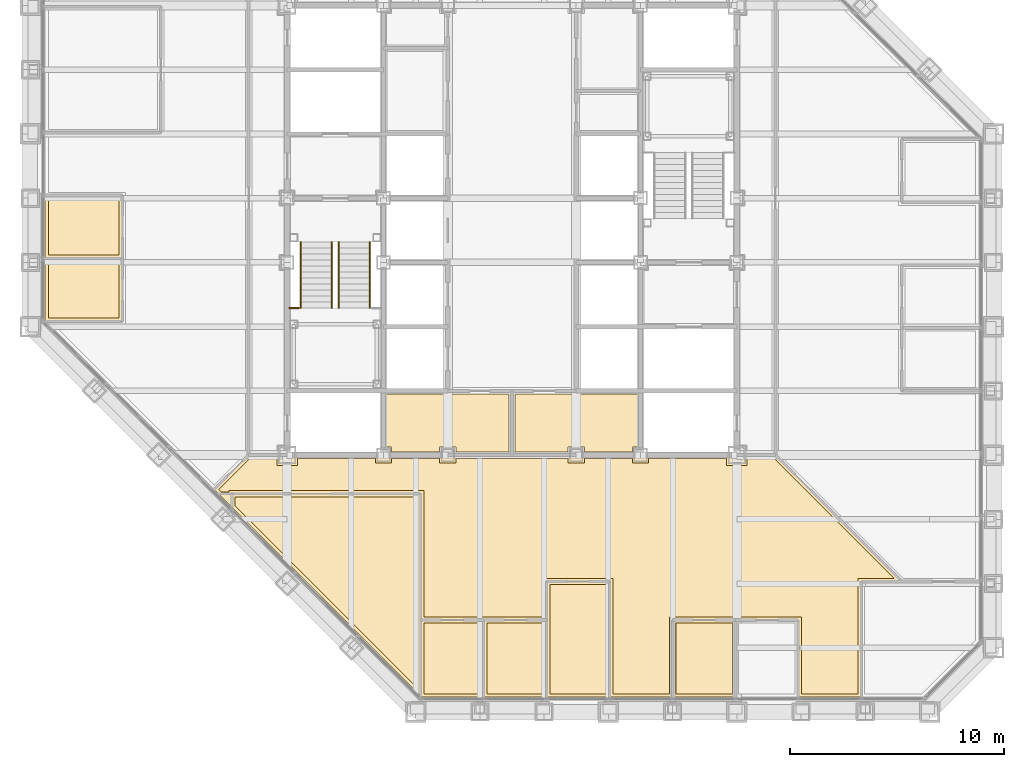
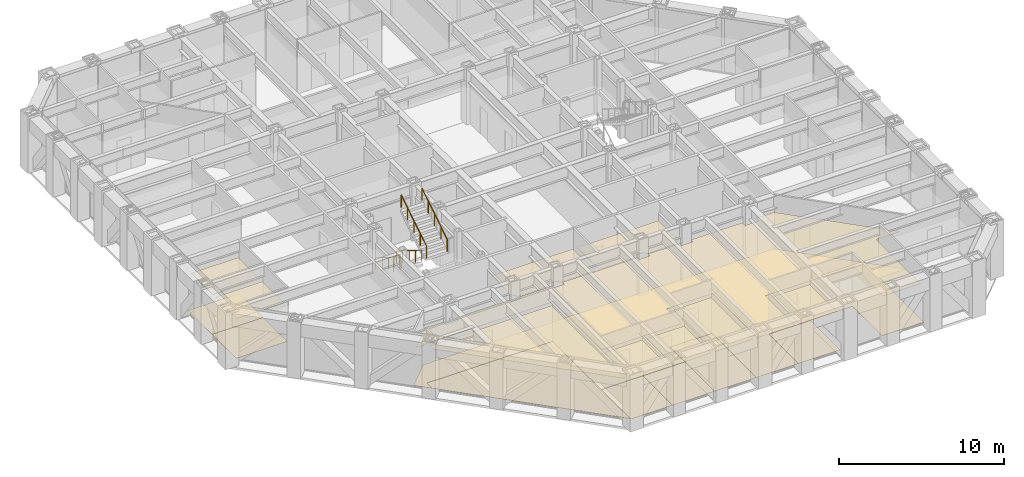
# One storey, part 14 of 17: 18 coverings, 5 railings.
"""IFC4 building model written with IfcOpenShell, lengths in metres."""

from ifc_helpers import new_model, si_unit, direction, frame, origin, origin_2d, place, context, subcontext, project, spatial, polyline, circle, outline, extrude, material, layer, layer_set, type_object, element, save


model = new_model("IFC4")

# Units and contexts
model_context = context("Model", 3, precision=1e-05, world=origin(), true_north=direction((0.0, 1.0)))
body_context = subcontext(model_context, "Body", "Model", "MODEL_VIEW")
ifc_project = project(units=[si_unit("LENGTHUNIT", "METRE"), si_unit("AREAUNIT", "SQUARE_METRE"), si_unit("VOLUMEUNIT", "CUBIC_METRE"), si_unit("PLANEANGLEUNIT", "RADIAN"), si_unit("MASSUNIT", "GRAM", prefix="KILO")], contexts=[model_context])

# Site, building, storey
site_placement = place(None, origin())
site = spatial("IfcSite", under=ifc_project, at=site_placement, CompositionType="ELEMENT")
building_placement = place(site_placement, origin())
building = spatial("IfcBuilding", under=site, at=building_placement, Name="Chuquiago Exchange Tower", CompositionType="ELEMENT")
storey_placement = place(building_placement, frame((0.0, 0.0, 169.800048828125)))
storey = spatial("IfcBuildingStorey", under=building, at=storey_placement, Name="L37", CompositionType="ELEMENT", Elevation=169.800048828125)

# Coverings
ifc_material_1 = material(Name="Mineral fibre tile, 600 x 600, on pale metal grid", Category="mineral fibre")
ifc_layer_1 = layer(ifc_material_1, 0.02001953125)
ifc_layer_set_1 = layer_set([ifc_layer_1], Name="CL1 suspended tile ceiling 20")
covering_type_1 = type_object("IfcCoveringType", Name="CL1 suspended tile ceiling 20", PredefinedType="CEILING", material=ifc_layer_set_1)
covering_1_placement = place(storey_placement, frame((0.0, 0.0, 2.800048828125)))
element("IfcCovering", 1, at=covering_1_placement, inside=storey, type_object=covering_type_1, Name="Ceiling Broker lounge", PredefinedType="CEILING", context=body_context, shape_type="SweptSolid", body=[
    extrude(outline(polyline([(9.57421875, 10.050048828125), (18.098388671875, 10.050048828125), (18.098388671875, 1.103515625), (9.57421875, 9.627685546875), (9.57421875, 10.050048828125)])), origin(), (0.0, 0.0, 1.0), 0.02001953125),
])
covering_2_placement = place(storey_placement, frame((0.0, 0.0, 2.800048828125)))
element("IfcCovering", 2, at=covering_2_placement, inside=storey, type_object=covering_type_1, Name="Ceiling Focus room", PredefinedType="CEILING", context=body_context, shape_type="SweptSolid", body=[
    extrude(outline(polyline([(18.3984375, 4.14990234375), (21.036376953125, 4.14990234375), (21.036376953125, 0.85009765625), (18.3984375, 0.85009765625), (18.3984375, 4.14990234375)])), origin(), (0.0, 0.0, 1.0), 0.02001953125),
])
covering_3_placement = place(storey_placement, frame((0.0, 0.0, 2.800048828125)))
element("IfcCovering", 3, at=covering_3_placement, inside=storey, type_object=covering_type_1, Name="Ceiling Focus room", PredefinedType="CEILING", context=body_context, shape_type="SweptSolid", body=[
    extrude(outline(polyline([(21.33642578125, 4.14990234375), (23.974365234375, 4.14990234375), (23.974365234375, 0.85009765625), (21.33642578125, 0.85009765625), (21.33642578125, 4.14990234375)])), origin(), (0.0, 0.0, 1.0), 0.02001953125),
])
covering_4_placement = place(storey_placement, frame((0.0, 0.0, 2.800048828125)))
element("IfcCovering", 4, at=covering_4_placement, inside=storey, type_object=covering_type_1, Name="Ceiling Meeting room", PredefinedType="CEILING", context=body_context, shape_type="SweptSolid", body=[
    extrude(outline(polyline([(24.2744140625, 5.949951171875), (26.912109375, 5.949951171875), (26.912109375, 0.85009765625), (24.2744140625, 0.85009765625), (24.2744140625, 5.949951171875)])), origin(), (0.0, 0.0, 1.0), 0.02001953125),
])
covering_5_placement = place(storey_placement, frame((0.0, 0.0, 2.800048828125)))
element("IfcCovering", 5, at=covering_5_placement, inside=storey, type_object=covering_type_1, Name="Ceiling Focus room", PredefinedType="CEILING", context=body_context, shape_type="SweptSolid", body=[
    extrude(outline(polyline([(30.14990234375, 4.14990234375), (32.787841796875, 4.14990234375), (32.787841796875, 0.85009765625), (30.14990234375, 0.85009765625), (30.14990234375, 4.14990234375)])), origin(), (0.0, 0.0, 1.0), 0.02001953125),
])
covering_6_placement = place(storey_placement, frame((0.0, 0.0, 2.800048828125)))
element("IfcCovering", 6, at=covering_6_placement, inside=storey, type_object=covering_type_1, Name="Ceiling Focus room", PredefinedType="CEILING", context=body_context, shape_type="SweptSolid", body=[
    extrude(outline(polyline([(0.85009765625, 21.036376953125), (4.14990234375, 21.036376953125), (4.14990234375, 18.3984375), (0.85009765625, 18.3984375), (0.85009765625, 21.036376953125)])), origin(), (0.0, 0.0, 1.0), 0.02001953125),
])
covering_7_placement = place(storey_placement, frame((0.0, 0.0, 2.800048828125)))
element("IfcCovering", 7, at=covering_7_placement, inside=storey, type_object=covering_type_1, Name="Ceiling Focus room", PredefinedType="CEILING", context=body_context, shape_type="SweptSolid", body=[
    extrude(outline(polyline([(4.14990234375, 23.974365234375), (4.14990234375, 21.33642578125), (0.85009765625, 21.33642578125), (0.85009765625, 23.974365234375), (4.14990234375, 23.974365234375)])), origin(), (0.0, 0.0, 1.0), 0.02001953125),
])
covering_8_placement = place(storey_placement, frame((0.0, 0.0, 2.800048828125)))
element("IfcCovering", 8, at=covering_8_placement, inside=storey, type_object=covering_type_1, Name="Ceiling Open office south", PredefinedType="CEILING", context=body_context, shape_type="SweptSolid", body=[
    extrude(outline(polyline([(38.66357421875, 0.85009765625), (36.025634765625, 0.85009765625), (36.025634765625, 4.449951171875), (29.85009765625, 4.449951171875), (29.85009765625, 0.85009765625), (27.212158203125, 0.85009765625), (27.212158203125, 6.25), (23.974365234375, 6.25), (23.974365234375, 4.449951171875), (18.3984375, 4.449951171875), (18.3984375, 10.35009765625), (9.2744140625, 10.35009765625), (9.2744140625, 10.27001953125), (8.931884765625, 10.27001953125), (8.807373046875, 10.39453125), (10.2626953125, 11.85009765625), (11.52490234375, 11.85009765625), (11.52490234375, 11.52490234375), (12.47509765625, 11.52490234375), (12.47509765625, 11.85009765625), (16.125, 11.85009765625), (16.125, 11.625), (16.875, 11.625), (16.875, 11.85009765625), (19.125, 11.85009765625), (19.125, 11.625), (19.875, 11.625), (19.875, 11.85009765625), (25.125, 11.85009765625), (25.125, 11.625), (25.875, 11.625), (25.875, 11.85009765625), (28.125, 11.85009765625), (28.125, 11.625), (28.875, 11.625), (28.875, 11.85009765625), (32.52490234375, 11.85009765625), (32.52490234375, 11.52490234375), (33.47509765625, 11.52490234375), (33.47509765625, 11.85009765625), (34.7373046875, 11.85009765625), (40.337158203125, 6.25), (38.66357421875, 6.25), (38.66357421875, 0.85009765625)])), origin(), (0.0, 0.0, 1.0), 0.02001953125),
])
ifc_material_2 = material(Name="Moisture resistant plasterboard on metal frame", Category="gypsum")
ifc_layer_2 = layer(ifc_material_2, 0.014892578125)
ifc_layer_set_2 = layer_set([ifc_layer_2], Name="CL2 moisture resistant ceiling 15")
covering_type_2 = type_object("IfcCoveringType", Name="CL2 moisture resistant ceiling 15", PredefinedType="CEILING", material=ifc_layer_set_2)
covering_9_placement = place(storey_placement, frame((0.0, 0.0, 2.599853515625)))
element("IfcCovering", 9, at=covering_9_placement, inside=storey, type_object=covering_type_2, Name="Ceiling Accessible WC", PredefinedType="CEILING", context=body_context, shape_type="SweptSolid", body=[
    extrude(outline(polyline([(25.875, 12.14990234375), (25.875, 12.375), (25.125, 12.375), (25.125, 12.14990234375), (22.64990234375, 12.14990234375), (22.64990234375, 14.85009765625), (28.35009765625, 14.85009765625), (28.35009765625, 12.375), (28.125, 12.375), (28.125, 12.14990234375), (25.875, 12.14990234375)])), origin(), (0.0, 0.0, 1.0), 0.01513671875),
])
covering_10_placement = place(storey_placement, frame((0.0, 0.0, 2.599853515625)))
element("IfcCovering", 10, at=covering_10_placement, inside=storey, type_object=covering_type_2, Name="Ceiling Cleaner", PredefinedType="CEILING", context=body_context, shape_type="SweptSolid", body=[
    extrude(outline(polyline([(19.875, 12.14990234375), (19.875, 12.375), (19.125, 12.375), (19.125, 12.14990234375), (16.875, 12.14990234375), (16.875, 12.375), (16.64990234375, 12.375), (16.64990234375, 14.85009765625), (22.35009765625, 14.85009765625), (22.35009765625, 12.14990234375), (19.875, 12.14990234375)])), origin(), (0.0, 0.0, 1.0), 0.01513671875),
])
ifc_material_3 = material(Name="Carpet tile, 500 x 500, on the floor slab", Category="textile")
ifc_layer_3 = layer(ifc_material_3, 0.010009765625)
ifc_layer_set_3 = layer_set([ifc_layer_3], Name="FL1 carpet tile 10")
covering_type_3 = type_object("IfcCoveringType", Name="FL1 carpet tile 10", PredefinedType="FLOORING", material=ifc_layer_set_3)
covering_11_placement = place(storey_placement, origin())
element("IfcCovering", 11, at=covering_11_placement, inside=storey, type_object=covering_type_3, Name="Floor finish Focus room", PredefinedType="FLOORING", context=body_context, shape_type="SweptSolid", body=[
    extrude(outline(polyline([(18.289794921875, 0.699951171875), (18.24853515625, 0.741455078125), (18.24853515625, 4.300048828125), (21.186279296875, 4.300048828125), (21.186279296875, 0.699951171875), (18.289794921875, 0.699951171875)])), origin(), (0.0, 0.0, 1.0), 0.010009765625),
])
covering_12_placement = place(storey_placement, origin())
element("IfcCovering", 12, at=covering_12_placement, inside=storey, type_object=covering_type_3, Name="Floor finish Focus room", PredefinedType="FLOORING", context=body_context, shape_type="SweptSolid", body=[
    extrude(outline(polyline([(21.186279296875, 0.699951171875), (21.186279296875, 4.300048828125), (24.124267578125, 4.300048828125), (24.124267578125, 0.699951171875), (21.186279296875, 0.699951171875)])), origin(), (0.0, 0.0, 1.0), 0.010009765625),
])
covering_13_placement = place(storey_placement, origin())
element("IfcCovering", 13, at=covering_13_placement, inside=storey, type_object=covering_type_3, Name="Floor finish Meeting room", PredefinedType="FLOORING", context=body_context, shape_type="SweptSolid", body=[
    extrude(outline(polyline([(24.124267578125, 0.699951171875), (24.124267578125, 6.10009765625), (27.06201171875, 6.10009765625), (27.06201171875, 0.699951171875), (24.124267578125, 0.699951171875)])), origin(), (0.0, 0.0, 1.0), 0.010009765625),
])
covering_14_placement = place(storey_placement, origin())
element("IfcCovering", 14, at=covering_14_placement, inside=storey, type_object=covering_type_3, Name="Floor finish Focus room", PredefinedType="FLOORING", context=body_context, shape_type="SweptSolid", body=[
    extrude(outline(polyline([(30.0, 0.699951171875), (30.0, 4.300048828125), (32.93798828125, 4.300048828125), (32.93798828125, 0.699951171875), (30.0, 0.699951171875)])), origin(), (0.0, 0.0, 1.0), 0.010009765625),
])
covering_15_placement = place(storey_placement, origin())
element("IfcCovering", 15, at=covering_15_placement, inside=storey, type_object=covering_type_3, Name="Floor finish Focus room", PredefinedType="FLOORING", context=body_context, shape_type="SweptSolid", body=[
    extrude(outline(polyline([(0.699951171875, 21.186279296875), (4.300048828125, 21.186279296875), (4.300048828125, 18.24853515625), (0.741455078125, 18.24853515625), (0.699951171875, 18.289794921875), (0.699951171875, 21.186279296875)])), origin(), (0.0, 0.0, 1.0), 0.010009765625),
])
covering_16_placement = place(storey_placement, origin())
element("IfcCovering", 16, at=covering_16_placement, inside=storey, type_object=covering_type_3, Name="Floor finish Focus room", PredefinedType="FLOORING", context=body_context, shape_type="SweptSolid", body=[
    extrude(outline(polyline([(0.699951171875, 24.124267578125), (4.300048828125, 24.124267578125), (4.300048828125, 21.186279296875), (0.699951171875, 21.186279296875), (0.699951171875, 24.124267578125)])), origin(), (0.0, 0.0, 1.0), 0.010009765625),
])
covering_17_placement = place(storey_placement, origin())
element("IfcCovering", 17, at=covering_17_placement, inside=storey, type_object=covering_type_3, Name="Floor finish Open office south", PredefinedType="FLOORING", context=body_context, shape_type="SweptSolid", body=[
    extrude(outline(polyline([(38.813720703125, 6.10009765625), (38.813720703125, 0.699951171875), (35.875732421875, 0.699951171875), (35.875732421875, 4.300048828125), (30.0, 4.300048828125), (30.0, 0.699951171875), (27.06201171875, 0.699951171875), (27.06201171875, 6.10009765625), (24.124267578125, 6.10009765625), (24.124267578125, 4.300048828125), (18.24853515625, 4.300048828125), (18.24853515625, 10.199951171875), (9.42431640625, 10.199951171875), (9.42431640625, 9.565673828125), (8.59521484375, 10.39453125), (10.200439453125, 12.0), (34.799560546875, 12.0), (40.69921875, 6.10009765625), (38.813720703125, 6.10009765625)])), origin(), (0.0, 0.0, 1.0), 0.010009765625),
])
ifc_material_4 = material(Name="Porcelain floor tile, 600 x 600, on adhesive bed", Category="ceramic")
ifc_layer_4 = layer(ifc_material_4, 0.014892578125)
ifc_layer_set_4 = layer_set([ifc_layer_4], Name="FL2 porcelain tile 15")
covering_type_4 = type_object("IfcCoveringType", Name="FL2 porcelain tile 15", PredefinedType="FLOORING", material=ifc_layer_set_4)
covering_18_placement = place(storey_placement, origin())
element("IfcCovering", 18, at=covering_18_placement, inside=storey, type_object=covering_type_4, Name="Floor finish Broker lounge", PredefinedType="FLOORING", context=body_context, shape_type="SweptSolid", body=[
    extrude(outline(polyline([(9.42431640625, 9.565673828125), (9.42431640625, 10.199951171875), (18.24853515625, 10.199951171875), (18.24853515625, 0.741455078125), (9.42431640625, 9.565673828125)])), origin(), (0.0, 0.0, 1.0), 0.014892578125),
])

# Railings
ifc_material_5 = material(Name="Pale metal guard with safety glass infill", Category="glass")
railing_type_1 = type_object("IfcRailingType", Name="GR1 guard 1100", PredefinedType="GUARDRAIL", material=ifc_material_5)
railing_placement = place(storey_placement, frame((12.10009765625, 18.8701171875, 2.099853515625)))
element("IfcRailing", 19, at=railing_placement, inside=storey, type_object=railing_type_1, Name="Guard ST1 L37 landing 2", PredefinedType="GUARDRAIL", context=body_context, shape_type="SweptSolid", body=[
    extrude(circle(Radius=0.02392578125, at=origin_2d()), frame((0.0, 0.0, 1.076171875), z_axis=(1.0, 0.0, 0.0), x_axis=(0.0, 1.0, 0.0)), (0.0, 0.0, 1.0), 0.454833984375),
    extrude(circle(Radius=0.02099609375, at=origin_2d()), origin(), (0.0, 0.0, 1.0), 1.052001953125),
    extrude(circle(Radius=0.02099609375, at=origin_2d()), frame((0.454833984375, 0.0, 0.0)), (0.0, 0.0, 1.0), 1.052001953125),
])
ifc_material_6 = material(Name="Pale metal handrail", Category="steel")
railing_type_2 = type_object("IfcRailingType", Name="HR1 handrail 900", PredefinedType="HANDRAIL", material=ifc_material_6)
for number, where, name in (
    (20, (12.635009765625, 21.949951171875, 0.175048828125), "Handrail ST1 L37 flight 1"),
    (21, (14.0849609375, 21.949951171875, 0.175048828125), "Handrail ST1 L37 flight 1"),
):
    element("IfcRailing", number, at=place(storey_placement, frame(where)), inside=storey, type_object=railing_type_2, Name=name, PredefinedType="HANDRAIL", context=body_context, shape_type="SweptSolid", body=[
        extrude(circle(Radius=0.02392578125, at=origin_2d()), frame((0.0, 0.0, 0.8759765625), z_axis=(0.0, -0.848009633417, 0.529980812513), x_axis=(1.0, 0.0, 0.0)), (0.0, 0.0, 1.0), 3.6318359375),
        extrude(circle(Radius=0.02099609375, at=origin_2d()), origin(), (0.0, 0.0, 1.0), 0.851806640625),
        extrude(circle(Radius=0.02099609375, at=origin_2d()), frame((0.0, -0.77001953125, 0.481201171875)), (0.0, 0.0, 1.0), 0.851806640625),
        extrude(circle(Radius=0.02099609375, at=origin_2d()), frame((0.0, -1.5400390625, 0.96240234375)), (0.0, 0.0, 1.0), 0.851806640625),
        extrude(circle(Radius=0.02099609375, at=origin_2d()), frame((0.0, -2.309814453125, 1.443603515625)), (0.0, 0.0, 1.0), 0.851806640625),
        extrude(circle(Radius=0.02099609375, at=origin_2d()), frame((0.0, -3.079833984375, 1.9248046875)), (0.0, 0.0, 1.0), 0.851806640625),
    ])
for number, where, name in (
    (22, (15.864990234375, 18.8701171875, 2.27490234375), "Handrail ST1 L37 flight 2"),
    (23, (14.4150390625, 18.8701171875, 2.27490234375), "Handrail ST1 L37 flight 2"),
):
    element("IfcRailing", number, at=place(storey_placement, frame(where)), inside=storey, type_object=railing_type_2, Name=name, PredefinedType="HANDRAIL", context=body_context, shape_type="SweptSolid", body=[
        extrude(circle(Radius=0.02392578125, at=origin_2d()), frame((0.0, 0.0, 0.8759765625), z_axis=(0.0, 0.847979421464, 0.530029150871), x_axis=(-1.0, 0.0, 0.0)), (0.0, 0.0, 1.0), 3.632080078125),
        extrude(circle(Radius=0.02099609375, at=origin_2d()), origin(), (0.0, 0.0, 1.0), 0.851806640625),
        extrude(circle(Radius=0.02099609375, at=origin_2d()), frame((0.0, 0.77001953125, 0.481201171875)), (0.0, 0.0, 1.0), 0.851806640625),
        extrude(circle(Radius=0.02099609375, at=origin_2d()), frame((0.0, 1.5400390625, 0.96240234375)), (0.0, 0.0, 1.0), 0.851806640625),
        extrude(circle(Radius=0.02099609375, at=origin_2d()), frame((0.0, 2.309814453125, 1.44384765625)), (0.0, 0.0, 1.0), 0.851806640625),
        extrude(circle(Radius=0.02099609375, at=origin_2d()), frame((0.0, 3.079833984375, 1.925048828125)), (0.0, 0.0, 1.0), 0.851806640625),
    ])

save(model, "model.ifc")
